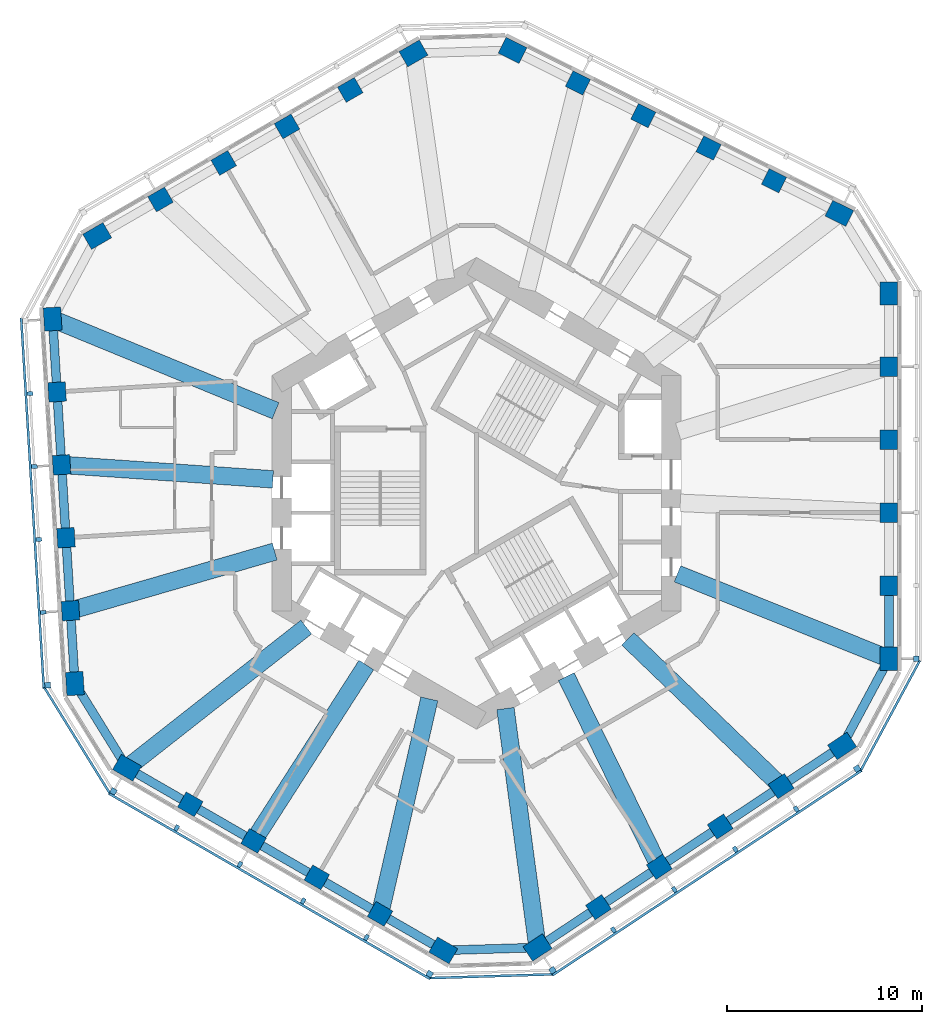
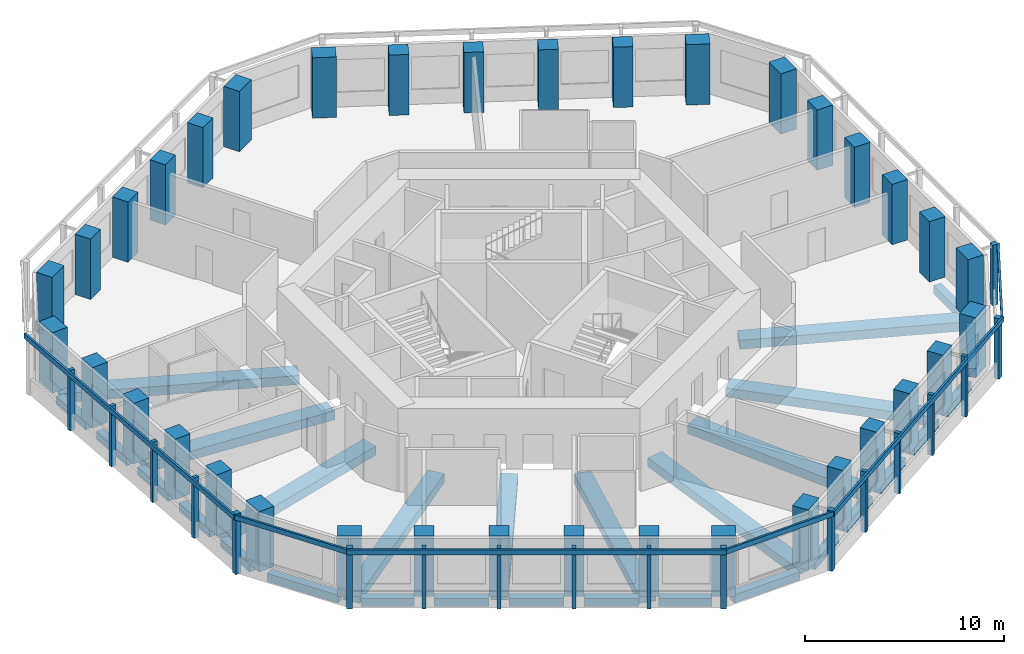
# One storey, part 1 of 10: 36 columns, 29 beams, 24 members, 7 elements without a shape of their own.
"""IFC4 building model written with IfcOpenShell, lengths in metres."""

from ifc_helpers import new_model, si_unit, direction, frame, origin, origin_2d, place, context, subcontext, project, spatial, rectangle, extrude, material, material_profile, profile_set, type_object, element, aggregate, save


model = new_model("IFC4")

# Units and contexts
model_context = context("Model", 3, precision=1e-05, world=origin(), true_north=direction((0.0, 1.0)))
body_context = subcontext(model_context, "Body", "Model", "MODEL_VIEW")
ifc_project = project(units=[si_unit("LENGTHUNIT", "METRE"), si_unit("AREAUNIT", "SQUARE_METRE"), si_unit("VOLUMEUNIT", "CUBIC_METRE"), si_unit("PLANEANGLEUNIT", "RADIAN"), si_unit("MASSUNIT", "GRAM", prefix="KILO")], contexts=[model_context])

# Site, building, storey
site_placement = place(None, origin())
site = spatial("IfcSite", under=ifc_project, at=site_placement, CompositionType="ELEMENT")
building_placement = place(site_placement, origin())
building = spatial("IfcBuilding", under=site, at=building_placement, Name="Vanh Sen Convention Tower", CompositionType="ELEMENT")
storey_placement = place(building_placement, frame((0.0, 0.0, 161.39990234375)))
storey = spatial("IfcBuildingStorey", under=building, at=storey_placement, Name="L39", CompositionType="ELEMENT", Elevation=161.39990234375)

# Columns
ifc_material_1 = material(Name="Concrete C80/95", Category="concrete")
ifc_material_profile_1 = material_profile(ifc_material_1, rectangle(XDim=1.0, YDim=0.89990234375, at=origin_2d()), Name="RC 1000X900")
ifc_profile_set_1 = profile_set([ifc_material_profile_1], Name="Concrete C80/95")
column_type_1 = type_object("IfcColumnType", Name="Facade column 1000 x 900 C80/95", PredefinedType="COLUMN", material=ifc_profile_set_1)
for number, where, z_axis, x_axis, name in (
    (1, (21.199951171875, -4.746826171875, 0.0), (0.0, 0.0, 1.0), (0.0, 1.0, 0.0), "Facade column 02 L39"),
    (2, (21.199951171875, -0.992919921875, 0.0), (0.0, 0.0, 1.0), (0.0, 1.0, 0.0), "Facade column 03 L39"),
    (3, (21.199951171875, 2.76123046875, 0.0), (0.0, 0.0, 1.0), (0.0, 1.0, 0.0), "Facade column 04 L39"),
    (4, (21.199951171875, 6.515380859375, 0.0), (0.0, 0.0, 1.0), (0.0, 1.0, 0.0), "Facade column 05 L39"),
    (5, (15.290283203125, 16.0654296875, 0.0), (0.0, 0.0, 1.0), (-0.894934361602, 0.44619781311, 0.0), "Facade column 08 L39"),
    (6, (11.9306640625, 17.740478515625, 0.0), (0.0, 0.0, 1.0), (-0.894934361602, 0.44619781311, 0.0), "Facade column 09 L39"),
    (7, (8.57080078125, 19.41552734375, 0.0), (0.0, 0.0, 1.0), (-0.894934361602, 0.44619781311, 0.0), "Facade column 10 L39"),
    (8, (5.211181640625, 21.0908203125, 0.0), (0.0, 0.0, 1.0), (-0.894934361602, 0.44619781311, 0.0), "Facade column 11 L39"),
    (9, (-6.489013671875, 20.733154296875, 0.0), (0.0, 0.0, 1.0), (-0.866025403784, -0.5, 0.0), "Facade column 14 L39"),
    (10, (-9.740234375, 18.856201171875, 0.0), (0.0, 0.0, 1.0), (-0.866025403784, -0.5, 0.0), "Facade column 15 L39"),
    (11, (-12.991455078125, 16.97900390625, 0.0), (0.0, 0.0, 1.0), (-0.866025403784, -0.5, 0.0), "Facade column 16 L39"),
    (12, (-16.242431640625, 15.10205078125, 0.0), (0.0, 0.0, 1.0), (-0.866025403784, -0.5, 0.0), "Facade column 17 L39"),
    (13, (-21.55810546875, 5.208984375, 0.0), (0.0, 0.0, 1.0), (0.061048539535, -0.998134798422, 0.0), "Facade column 20 L39"),
    (14, (-21.3291015625, 1.4619140625, 0.0), (0.0, 0.0, 1.0), (0.061048539535, -0.998134798422, 0.0), "Facade column 21 L39"),
    (15, (-21.099853515625, -2.28515625, 0.0), (0.0, 0.0, 1.0), (0.061048539535, -0.998134798422, 0.0), "Facade column 22 L39"),
    (16, (-20.87060546875, -6.0322265625, 0.0), (0.0, 0.0, 1.0), (0.061048539535, -0.998134798422, 0.0), "Facade column 23 L39"),
    (17, (-14.7109375, -15.986328125, 0.0), (0.0, 0.0, 1.0), (0.866025403784, -0.5, 0.0), "Facade column 26 L39"),
    (18, (-11.459716796875, -17.86328125, 0.0), (0.0, 0.0, 1.0), (0.866025403784, -0.5, 0.0), "Facade column 27 L39"),
    (19, (-8.20849609375, -19.740478515625, 0.0), (0.0, 0.0, 1.0), (0.866025403784, -0.5, 0.0), "Facade column 28 L39"),
    (20, (-4.95751953125, -21.617431640625, 0.0), (0.0, 0.0, 1.0), (0.866025403784, -0.5, 0.0), "Facade column 29 L39"),
    (21, (6.267822265625, -21.2744140625, 0.0), (0.0, 0.0, 1.0), (0.833885822067, 0.551936985312, 0.0), "Facade column 32 L39"),
    (22, (9.3984375, -19.202392578125, 0.0), (0.0, 0.0, 1.0), (0.833885822067, 0.551936985312, 0.0), "Facade column 33 L39"),
    (23, (12.52880859375, -17.13037109375, 0.0), (0.0, 0.0, 1.0), (0.833885822067, 0.551936985312, 0.0), "Facade column 34 L39"),
    (24, (15.659423828125, -15.058349609375, 0.0), (0.0, 0.0, 1.0), (0.833885822067, 0.551936985312, 0.0), "Facade column 35 L39"),
):
    element("IfcColumn", number, at=place(storey_placement, frame(where, z_axis=z_axis, x_axis=x_axis)), inside=storey, type_object=column_type_1, Name=name, PredefinedType="COLUMN", context=body_context, shape_type="SweptSolid", body=[
        extrude(rectangle(XDim=1.0, YDim=0.89990234375, at=origin_2d()), origin(), (0.0, 0.0, 1.0), 3.7001953125),
    ])
ifc_material_profile_2 = material_profile(ifc_material_1, rectangle(XDim=1.199951171875, YDim=0.89990234375, at=origin_2d()), Name="RC 1200X900")
ifc_profile_set_2 = profile_set([ifc_material_profile_2], Name="Concrete C80/95")
column_type_2 = type_object("IfcColumnType", Name="Facade corner column 1200 x 900 C80/95", PredefinedType="COLUMN", material=ifc_profile_set_2)
for number, where, z_axis, x_axis, name in (
    (25, (21.199951171875, -8.5009765625, 0.0), (0.0, 0.0, 1.0), (0.0, 1.0, 0.0), "Facade column 01 L39"),
    (26, (21.199951171875, 10.26953125, 0.0), (0.0, 0.0, 1.0), (0.0, 1.0, 0.0), "Facade column 06 L39"),
    (27, (18.64990234375, 14.390380859375, 0.0), (0.0, 0.0, 1.0), (-0.894934361602, 0.44619781311, 0.0), "Facade column 07 L39"),
    (28, (1.8515625, 22.765625, 0.0), (0.0, 0.0, 1.0), (-0.894934361602, 0.44619781311, 0.0), "Facade column 12 L39"),
    (29, (-3.23779296875, 22.610107421875, 0.0), (0.0, 0.0, 1.0), (-0.866025403784, -0.5, 0.0), "Facade column 13 L39"),
    (30, (-19.49365234375, 13.22509765625, 0.0), (0.0, 0.0, 1.0), (-0.866025403784, -0.5, 0.0), "Facade column 18 L39"),
    (31, (-21.787353515625, 8.956298828125, 0.0), (0.0, 0.0, 1.0), (0.061048539535, -0.998134798422, 0.0), "Facade column 19 L39"),
    (32, (-20.6416015625, -9.779296875, 0.0), (0.0, 0.0, 1.0), (0.061048539535, -0.998134798422, 0.0), "Facade column 24 L39"),
    (33, (-17.962158203125, -14.109130859375, 0.0), (0.0, 0.0, 1.0), (0.866025403784, -0.5, 0.0), "Facade column 25 L39"),
    (34, (-1.706298828125, -23.494384765625, 0.0), (0.0, 0.0, 1.0), (0.866025403784, -0.5, 0.0), "Facade column 30 L39"),
    (35, (3.137451171875, -23.346435546875, 0.0), (0.0, 0.0, 1.0), (0.833885822067, 0.551936985312, 0.0), "Facade column 31 L39"),
    (36, (18.789794921875, -12.986328125, 0.0), (0.0, 0.0, 1.0), (0.833885822067, 0.551936985312, 0.0), "Facade column 36 L39"),
):
    element("IfcColumn", number, at=place(storey_placement, frame(where, z_axis=z_axis, x_axis=x_axis)), inside=storey, type_object=column_type_2, Name=name, PredefinedType="COLUMN", context=body_context, shape_type="SweptSolid", body=[
        extrude(rectangle(XDim=1.199951171875, YDim=0.89990234375, at=origin_2d()), origin(), (0.0, 0.0, 1.0), 3.7001953125),
    ])

# Curtain wall, member
ifc_material_2 = material(Name="Concrete C50/60", Category="concrete")
curtain_wall_type = type_object("IfcCurtainWallType", Name="Outer skin office zone", PredefinedType="NOTDEFINED", material=ifc_material_2)
curtain_wall_1_placement = place(storey_placement, origin())
curtain_wall_1 = element("IfcCurtainWall", 37, at=curtain_wall_1_placement, inside=storey, type_object=curtain_wall_type, Name="OUTER SKIN E L39", PredefinedType="NOTDEFINED")
ifc_material_profile_3 = material_profile(ifc_material_2, rectangle(XDim=0.300048828125, YDim=0.300048828125, at=origin_2d()), Name="Outer skin precast corner fin 300 x 300")
ifc_profile_set_3 = profile_set([ifc_material_profile_3], Name="Concrete C50/60")
member_type_1 = type_object("IfcMemberType", Name="Outer skin precast corner fin 300 x 300", PredefinedType="MULLION", material=ifc_profile_set_3)
member_1_placement = place(storey_placement, frame((22.60009765625, -8.5009765625, 0.0), z_axis=(0.0, 0.0, 1.0), x_axis=(0.0, 1.0, 0.0)))
member_1 = element("IfcMember", 38, at=member_1_placement, type_object=member_type_1, Name="OUTER SKIN CORNER FIN 1 E L39", PredefinedType="MULLION", context=body_context, shape_type="SweptSolid", body=[
    extrude(rectangle(XDim=0.300048828125, YDim=0.300048828125, at=origin_2d()), origin(), (0.0, 0.0, 1.0), 3.7001953125),
])
aggregate(curtain_wall_1, [member_1])

curtain_wall_2_placement = place(storey_placement, origin())
curtain_wall_2 = element("IfcCurtainWall", 39, at=curtain_wall_2_placement, inside=storey, type_object=curtain_wall_type, Name="OUTER SKIN W L39", PredefinedType="NOTDEFINED")
member_2_placement = place(storey_placement, frame((-22.038818359375, -9.864990234375, 0.0), z_axis=(0.0, 0.0, 1.0), x_axis=(0.061048539535, -0.998134798422, 0.0)))
member_2 = element("IfcMember", 40, at=member_2_placement, type_object=member_type_1, Name="OUTER SKIN CORNER FIN 6 W L39", PredefinedType="MULLION", context=body_context, shape_type="SweptSolid", body=[
    extrude(rectangle(XDim=0.300048828125, YDim=0.300048828125, at=origin_2d()), origin(), (0.0, 0.0, 1.0), 3.7001953125),
])

# Curtain wall, members
curtain_wall_3_placement = place(storey_placement, origin())
curtain_wall_3 = element("IfcCurtainWall", 41, at=curtain_wall_3_placement, inside=storey, type_object=curtain_wall_type, Name="OUTER SKIN SW L39", PredefinedType="NOTDEFINED")
member_3_placement = place(storey_placement, frame((-18.662109375, -15.321533203125, 0.0), z_axis=(0.0, 0.0, 1.0), x_axis=(0.866025403784, -0.5, 0.0)))
member_3 = element("IfcMember", 42, at=member_3_placement, type_object=member_type_1, Name="OUTER SKIN CORNER FIN 1 SW L39", PredefinedType="MULLION", context=body_context, shape_type="SweptSolid", body=[
    extrude(rectangle(XDim=0.300048828125, YDim=0.300048828125, at=origin_2d()), origin(), (0.0, 0.0, 1.0), 3.7001953125),
])
member_4_placement = place(storey_placement, frame((-2.40625, -24.706787109375, 0.0), z_axis=(0.0, 0.0, 1.0), x_axis=(0.866025403784, -0.5, 0.0)))
member_4 = element("IfcMember", 43, at=member_4_placement, type_object=member_type_1, Name="OUTER SKIN CORNER FIN 6 SW L39", PredefinedType="MULLION", context=body_context, shape_type="SweptSolid", body=[
    extrude(rectangle(XDim=0.300048828125, YDim=0.300048828125, at=origin_2d()), origin(), (0.0, 0.0, 1.0), 3.7001953125),
])

curtain_wall_4_placement = place(storey_placement, origin())
curtain_wall_4 = element("IfcCurtainWall", 44, at=curtain_wall_4_placement, inside=storey, type_object=curtain_wall_type, Name="OUTER SKIN SE L39", PredefinedType="NOTDEFINED")
member_5_placement = place(storey_placement, frame((3.91015625, -24.513916015625, 0.0), z_axis=(0.0, 0.0, 1.0), x_axis=(0.833885822067, 0.551936985312, 0.0)))
member_5 = element("IfcMember", 45, at=member_5_placement, type_object=member_type_1, Name="OUTER SKIN CORNER FIN 1 SE L39", PredefinedType="MULLION", context=body_context, shape_type="SweptSolid", body=[
    extrude(rectangle(XDim=0.300048828125, YDim=0.300048828125, at=origin_2d()), origin(), (0.0, 0.0, 1.0), 3.7001953125),
])
member_6_placement = place(storey_placement, frame((19.5625, -14.15380859375, 0.0), z_axis=(0.0, 0.0, 1.0), x_axis=(0.833885822067, 0.551936985312, 0.0)))
member_6 = element("IfcMember", 46, at=member_6_placement, type_object=member_type_1, Name="OUTER SKIN CORNER FIN 6 SE L39", PredefinedType="MULLION", context=body_context, shape_type="SweptSolid", body=[
    extrude(rectangle(XDim=0.300048828125, YDim=0.300048828125, at=origin_2d()), origin(), (0.0, 0.0, 1.0), 3.7001953125),
])

# Member
ifc_material_profile_4 = material_profile(ifc_material_2, rectangle(XDim=0.199951171875, YDim=0.300048828125, at=origin_2d()), Name="Outer skin precast fin 200 x 300")
ifc_profile_set_4 = profile_set([ifc_material_profile_4], Name="Concrete C50/60")
member_type_2 = type_object("IfcMemberType", Name="Outer skin precast fin 200 x 300", PredefinedType="MULLION", material=ifc_profile_set_4)
member_7_placement = place(storey_placement, frame((-22.95556640625, 5.12353515625, 0.0), z_axis=(0.0, 0.0, 1.0), x_axis=(0.061048539535, -0.998134798422, 0.0)))
member_7 = element("IfcMember", 47, at=member_7_placement, type_object=member_type_2, Name="OUTER SKIN fin 2 W L39", PredefinedType="MULLION", context=body_context, shape_type="SweptSolid", body=[
    extrude(rectangle(XDim=0.199951171875, YDim=0.300048828125, at=origin_2d()), origin(), (0.0, 0.0, 1.0), 3.7001953125),
])

member_8_placement = place(storey_placement, frame((-22.726318359375, 1.37646484375, 0.0), z_axis=(0.0, 0.0, 1.0), x_axis=(0.061048539535, -0.998134798422, 0.0)))
member_8 = element("IfcMember", 48, at=member_8_placement, type_object=member_type_2, Name="OUTER SKIN fin 3 W L39", PredefinedType="MULLION", context=body_context, shape_type="SweptSolid", body=[
    extrude(rectangle(XDim=0.199951171875, YDim=0.300048828125, at=origin_2d()), origin(), (0.0, 0.0, 1.0), 3.7001953125),
])

member_9_placement = place(storey_placement, frame((-22.497314453125, -2.37060546875, 0.0), z_axis=(0.0, 0.0, 1.0), x_axis=(0.061048539535, -0.998134798422, 0.0)))
member_9 = element("IfcMember", 49, at=member_9_placement, type_object=member_type_2, Name="OUTER SKIN fin 4 W L39", PredefinedType="MULLION", context=body_context, shape_type="SweptSolid", body=[
    extrude(rectangle(XDim=0.199951171875, YDim=0.300048828125, at=origin_2d()), origin(), (0.0, 0.0, 1.0), 3.7001953125),
])

member_10_placement = place(storey_placement, frame((-22.26806640625, -6.117919921875, 0.0), z_axis=(0.0, 0.0, 1.0), x_axis=(0.061048539535, -0.998134798422, 0.0)))
member_10 = element("IfcMember", 50, at=member_10_placement, type_object=member_type_2, Name="OUTER SKIN fin 5 W L39", PredefinedType="MULLION", context=body_context, shape_type="SweptSolid", body=[
    extrude(rectangle(XDim=0.199951171875, YDim=0.300048828125, at=origin_2d()), origin(), (0.0, 0.0, 1.0), 3.7001953125),
])

member_11_placement = place(storey_placement, frame((-15.410888671875, -17.19873046875, 0.0), z_axis=(0.0, 0.0, 1.0), x_axis=(0.866025403784, -0.5, 0.0)))
member_11 = element("IfcMember", 51, at=member_11_placement, type_object=member_type_2, Name="OUTER SKIN fin 2 SW L39", PredefinedType="MULLION", context=body_context, shape_type="SweptSolid", body=[
    extrude(rectangle(XDim=0.199951171875, YDim=0.300048828125, at=origin_2d()), origin(), (0.0, 0.0, 1.0), 3.7001953125),
])

member_12_placement = place(storey_placement, frame((-12.159912109375, -19.07568359375, 0.0), z_axis=(0.0, 0.0, 1.0), x_axis=(0.866025403784, -0.5, 0.0)))
member_12 = element("IfcMember", 52, at=member_12_placement, type_object=member_type_2, Name="OUTER SKIN fin 3 SW L39", PredefinedType="MULLION", context=body_context, shape_type="SweptSolid", body=[
    extrude(rectangle(XDim=0.199951171875, YDim=0.300048828125, at=origin_2d()), origin(), (0.0, 0.0, 1.0), 3.7001953125),
])

member_13_placement = place(storey_placement, frame((-8.90869140625, -20.952880859375, 0.0), z_axis=(0.0, 0.0, 1.0), x_axis=(0.866025403784, -0.5, 0.0)))
member_13 = element("IfcMember", 53, at=member_13_placement, type_object=member_type_2, Name="OUTER SKIN fin 4 SW L39", PredefinedType="MULLION", context=body_context, shape_type="SweptSolid", body=[
    extrude(rectangle(XDim=0.199951171875, YDim=0.300048828125, at=origin_2d()), origin(), (0.0, 0.0, 1.0), 3.7001953125),
])

member_14_placement = place(storey_placement, frame((-5.657470703125, -22.829833984375, 0.0), z_axis=(0.0, 0.0, 1.0), x_axis=(0.866025403784, -0.5, 0.0)))
member_14 = element("IfcMember", 54, at=member_14_placement, type_object=member_type_2, Name="OUTER SKIN fin 5 SW L39", PredefinedType="MULLION", context=body_context, shape_type="SweptSolid", body=[
    extrude(rectangle(XDim=0.199951171875, YDim=0.300048828125, at=origin_2d()), origin(), (0.0, 0.0, 1.0), 3.7001953125),
])

member_15_placement = place(storey_placement, frame((7.04052734375, -22.44189453125, 0.0), z_axis=(0.0, 0.0, 1.0), x_axis=(0.833885822067, 0.551936985312, 0.0)))
member_15 = element("IfcMember", 55, at=member_15_placement, type_object=member_type_2, Name="OUTER SKIN fin 2 SE L39", PredefinedType="MULLION", context=body_context, shape_type="SweptSolid", body=[
    extrude(rectangle(XDim=0.199951171875, YDim=0.300048828125, at=origin_2d()), origin(), (0.0, 0.0, 1.0), 3.7001953125),
])

member_16_placement = place(storey_placement, frame((10.171142578125, -20.369873046875, 0.0), z_axis=(0.0, 0.0, 1.0), x_axis=(0.833885822067, 0.551936985312, 0.0)))
member_16 = element("IfcMember", 56, at=member_16_placement, type_object=member_type_2, Name="OUTER SKIN fin 3 SE L39", PredefinedType="MULLION", context=body_context, shape_type="SweptSolid", body=[
    extrude(rectangle(XDim=0.199951171875, YDim=0.300048828125, at=origin_2d()), origin(), (0.0, 0.0, 1.0), 3.7001953125),
])

member_17_placement = place(storey_placement, frame((13.301513671875, -18.2978515625, 0.0), z_axis=(0.0, 0.0, 1.0), x_axis=(0.833885822067, 0.551936985312, 0.0)))
member_17 = element("IfcMember", 57, at=member_17_placement, type_object=member_type_2, Name="OUTER SKIN fin 4 SE L39", PredefinedType="MULLION", context=body_context, shape_type="SweptSolid", body=[
    extrude(rectangle(XDim=0.199951171875, YDim=0.300048828125, at=origin_2d()), origin(), (0.0, 0.0, 1.0), 3.7001953125),
])

member_18_placement = place(storey_placement, frame((16.43212890625, -16.225830078125, 0.0), z_axis=(0.0, 0.0, 1.0), x_axis=(0.833885822067, 0.551936985312, 0.0)))
member_18 = element("IfcMember", 58, at=member_18_placement, type_object=member_type_2, Name="OUTER SKIN fin 5 SE L39", PredefinedType="MULLION", context=body_context, shape_type="SweptSolid", body=[
    extrude(rectangle(XDim=0.199951171875, YDim=0.300048828125, at=origin_2d()), origin(), (0.0, 0.0, 1.0), 3.7001953125),
])

ifc_material_profile_5 = material_profile(ifc_material_2, rectangle(XDim=0.1201171875, YDim=0.300048828125, at=origin_2d()), Name="Outer skin precast spandrel band 300 x 120")
ifc_profile_set_5 = profile_set([ifc_material_profile_5], Name="Concrete C50/60")
member_type_3 = type_object("IfcMemberType", Name="Outer skin precast spandrel band 300 x 120", PredefinedType="USERDEFINED", material=ifc_profile_set_5)
member_19_placement = place(storey_placement, frame((-23.403564453125, 9.007568359375, 3.550048828125), z_axis=(0.061052799403, -0.998134537868, 0.0), x_axis=(0.998134537868, 0.061052799403, 0.0)))
member_19 = element("IfcMember", 59, at=member_19_placement, type_object=member_type_3, Name="OUTER SKIN spandrel band W L39", ObjectType="TRANSOM", PredefinedType="USERDEFINED", context=body_context, shape_type="SweptSolid", body=[
    extrude(rectangle(XDim=0.1201171875, YDim=0.300048828125, at=origin_2d()), origin(), (0.0, 0.0, 1.0), 19.070556640625),
])

aggregate(curtain_wall_2, [member_7, member_8, member_9, member_10, member_2, member_19])

# Curtain wall, member
curtain_wall_5_placement = place(storey_placement, origin())
curtain_wall_5 = element("IfcCurtainWall", 60, at=curtain_wall_5_placement, inside=storey, type_object=curtain_wall_type, Name="OUTER SKIN CH4 L39", PredefinedType="NOTDEFINED")
member_20_placement = place(storey_placement, frame((-22.217529296875, -9.975341796875, 3.550048828125), z_axis=(0.526207913146, -0.85035594438, 0.0), x_axis=(0.85035594438, 0.526207913146, 0.0)))
member_20 = element("IfcMember", 61, at=member_20_placement, type_object=member_type_3, Name="OUTER SKIN spandrel band CH4 L39", ObjectType="TRANSOM", PredefinedType="USERDEFINED", context=body_context, shape_type="SweptSolid", body=[
    extrude(rectangle(XDim=0.1201171875, YDim=0.300048828125, at=origin_2d()), origin(), (0.0, 0.0, 1.0), 6.4169921875),
])
aggregate(curtain_wall_5, [member_20])

# Member
member_21_placement = place(storey_placement, frame((-18.89697265625, -15.428466796875, 3.550048828125), z_axis=(0.866023136587, -0.500003926881, 0.0), x_axis=(0.500003926881, 0.866023136587, 0.0)))
member_21 = element("IfcMember", 62, at=member_21_placement, type_object=member_type_3, Name="OUTER SKIN spandrel band SW L39", ObjectType="TRANSOM", PredefinedType="USERDEFINED", context=body_context, shape_type="SweptSolid", body=[
    extrude(rectangle(XDim=0.1201171875, YDim=0.300048828125, at=origin_2d()), origin(), (0.0, 0.0, 1.0), 19.070556640625),
])

aggregate(curtain_wall_3, [member_3, member_11, member_12, member_13, member_14, member_4, member_21])

# Curtain wall, member
curtain_wall_6_placement = place(storey_placement, origin())
curtain_wall_6 = element("IfcCurtainWall", 63, at=curtain_wall_6_placement, inside=storey, type_object=curtain_wall_type, Name="OUTER SKIN CH5 L39", PredefinedType="NOTDEFINED")
member_22_placement = place(storey_placement, frame((-2.39990234375, -24.916748046875, 3.550048828125), z_axis=(0.99953413443, 0.030520716071, 0.0), x_axis=(-0.030520716071, 0.99953413443, 0.0)))
member_22 = element("IfcMember", 64, at=member_22_placement, type_object=member_type_3, Name="OUTER SKIN spandrel band CH5 L39", ObjectType="TRANSOM", PredefinedType="USERDEFINED", context=body_context, shape_type="SweptSolid", body=[
    extrude(rectangle(XDim=0.1201171875, YDim=0.300048828125, at=origin_2d()), origin(), (0.0, 0.0, 1.0), 6.3193359375),
])
aggregate(curtain_wall_6, [member_22])

# Member
member_23_placement = place(storey_placement, frame((3.90087890625, -24.771728515625, 3.550048828125), z_axis=(0.833891134859, 0.551928958475, 0.0), x_axis=(-0.551928958475, 0.833891134859, 0.0)))
member_23 = element("IfcMember", 65, at=member_23_placement, type_object=member_type_3, Name="OUTER SKIN spandrel band SE L39", ObjectType="TRANSOM", PredefinedType="USERDEFINED", context=body_context, shape_type="SweptSolid", body=[
    extrude(rectangle(XDim=0.1201171875, YDim=0.300048828125, at=origin_2d()), origin(), (0.0, 0.0, 1.0), 19.070556640625),
])

aggregate(curtain_wall_4, [member_5, member_15, member_16, member_17, member_18, member_6, member_23])

# Curtain wall, member
curtain_wall_7_placement = place(storey_placement, origin())
curtain_wall_7 = element("IfcCurtainWall", 66, at=curtain_wall_7_placement, inside=storey, type_object=curtain_wall_type, Name="OUTER SKIN CH6 L39", PredefinedType="NOTDEFINED")
member_24_placement = place(storey_placement, frame((19.74755859375, -14.253173828125, 3.550048828125), z_axis=(0.473316922434, 0.880892213008, 0.0), x_axis=(-0.880892213008, 0.473316922434, 0.0)))
member_24 = element("IfcMember", 67, at=member_24_placement, type_object=member_type_3, Name="OUTER SKIN spandrel band CH6 L39", ObjectType="TRANSOM", PredefinedType="USERDEFINED", context=body_context, shape_type="SweptSolid", body=[
    extrude(rectangle(XDim=0.1201171875, YDim=0.300048828125, at=origin_2d()), origin(), (0.0, 0.0, 1.0), 6.417236328125),
])
aggregate(curtain_wall_7, [member_24])

# Beams
ifc_material_3 = material(Name="Concrete C50/60", Category="concrete")
ifc_material_profile_6 = material_profile(ifc_material_3, rectangle(XDim=0.89990234375, YDim=0.550048828125, at=origin_2d()), Name="RC 900X550")
ifc_profile_set_6 = profile_set([ifc_material_profile_6], Name="Concrete C50/60")
beam_type_1 = type_object("IfcBeamType", Name="Radial floor beam 900 x 550", PredefinedType="BEAM", material=ifc_profile_set_6)
beam_1_placement = place(storey_placement, frame((20.922119140625, -8.3896484375, -0.554931640625), z_axis=(-0.928156247891, 0.372190783739, 0.0), x_axis=(-0.372190783739, -0.928156247891, 0.0)))
element("IfcBeam", 68, at=beam_1_placement, inside=storey, type_object=beam_type_1, Name="Radial beam 01 L39", PredefinedType="BEAM", context=body_context, shape_type="SweptSolid", body=[
    extrude(rectangle(XDim=0.89990234375, YDim=0.550048828125, at=origin_2d()), origin(), (0.0, 0.0, 1.0), 11.414306640625),
])
beam_2_placement = place(storey_placement, frame((-21.53125, 8.850830078125, -0.554931640625), z_axis=(0.92490243395, -0.380204533998, 0.0), x_axis=(0.380204533998, 0.92490243395, 0.0)))
element("IfcBeam", 69, at=beam_2_placement, inside=storey, type_object=beam_type_1, Name="Radial beam 10 L39", PredefinedType="BEAM", context=body_context, shape_type="SweptSolid", body=[
    extrude(rectangle(XDim=0.89990234375, YDim=0.550048828125, at=origin_2d()), origin(), (0.0, 0.0, 1.0), 12.116943359375),
])
beam_3_placement = place(storey_placement, frame((-20.939697265625, 1.435302734375, -0.554931640625), z_axis=(0.997659241785, -0.068381556588, 0.0), x_axis=(0.068381556588, 0.997659241785, 0.0)))
element("IfcBeam", 70, at=beam_3_placement, inside=storey, type_object=beam_type_1, Name="Radial beam 11 L39", PredefinedType="BEAM", context=body_context, shape_type="SweptSolid", body=[
    extrude(rectangle(XDim=0.89990234375, YDim=0.550048828125, at=origin_2d()), origin(), (0.0, 0.0, 1.0), 10.500244140625),
])
beam_4_placement = place(storey_placement, frame((-20.60791015625, -5.956298828125, -0.554931640625), z_axis=(0.960679153389, 0.277660879932, 0.0), x_axis=(-0.277660879932, 0.960679153389, 0.0)))
element("IfcBeam", 71, at=beam_4_placement, inside=storey, type_object=beam_type_1, Name="Radial beam 12 L39", PredefinedType="BEAM", context=body_context, shape_type="SweptSolid", body=[
    extrude(rectangle(XDim=0.89990234375, YDim=0.550048828125, at=origin_2d()), origin(), (0.0, 0.0, 1.0), 10.65673828125),
])
beam_5_placement = place(storey_placement, frame((-17.726806640625, -13.92431640625, -0.554931640625), z_axis=(0.786405168583, 0.61771102534, 0.0), x_axis=(-0.61771102534, 0.786405168583, 0.0)))
element("IfcBeam", 72, at=beam_5_placement, inside=storey, type_object=beam_type_1, Name="Radial beam 13 L39", PredefinedType="BEAM", context=body_context, shape_type="SweptSolid", body=[
    extrude(rectangle(XDim=0.89990234375, YDim=0.550048828125, at=origin_2d()), origin(), (0.0, 0.0, 1.0), 11.414306640625),
])
beam_6_placement = place(storey_placement, frame((-11.230712890625, -17.506103515625, -0.554931640625), z_axis=(0.539962921318, 0.841688804489, 0.0), x_axis=(-0.841688804489, 0.539962921318, 0.0)))
element("IfcBeam", 73, at=beam_6_placement, inside=storey, type_object=beam_type_1, Name="Radial beam 14 L39", PredefinedType="BEAM", context=body_context, shape_type="SweptSolid", body=[
    extrude(rectangle(XDim=0.89990234375, YDim=0.550048828125, at=origin_2d()), origin(), (0.0, 0.0, 1.0), 10.3134765625),
])
beam_7_placement = place(storey_placement, frame((-4.905517578125, -21.390625, -0.554931640625), z_axis=(0.223529773199, 0.974697101921, 0.0), x_axis=(-0.974697101921, 0.223529773199, 0.0)))
element("IfcBeam", 74, at=beam_7_placement, inside=storey, type_object=beam_type_1, Name="Radial beam 15 L39", PredefinedType="BEAM", context=body_context, shape_type="SweptSolid", body=[
    extrude(rectangle(XDim=0.89990234375, YDim=0.550048828125, at=origin_2d()), origin(), (0.0, 0.0, 1.0), 11.1044921875),
])
beam_8_placement = place(storey_placement, frame((3.1005859375, -23.072021484375, -0.554931640625), z_axis=(-0.133182520442, 0.991091527685, 0.0), x_axis=(-0.991091527685, -0.133182520442, 0.0)))
element("IfcBeam", 75, at=beam_8_placement, inside=storey, type_object=beam_type_1, Name="Radial beam 16 L39", PredefinedType="BEAM", context=body_context, shape_type="SweptSolid", body=[
    extrude(rectangle(XDim=0.89990234375, YDim=0.550048828125, at=origin_2d()), origin(), (0.0, 0.0, 1.0), 12.116943359375),
])
beam_9_placement = place(storey_placement, frame((9.226806640625, -18.85205078125, -0.554931640625), z_axis=(-0.439589583386, 0.898198752047, 0.0), x_axis=(-0.898198752047, -0.439589583386, 0.0)))
element("IfcBeam", 76, at=beam_9_placement, inside=storey, type_object=beam_type_1, Name="Radial beam 17 L39", PredefinedType="BEAM", context=body_context, shape_type="SweptSolid", body=[
    extrude(rectangle(XDim=0.89990234375, YDim=0.550048828125, at=origin_2d()), origin(), (0.0, 0.0, 1.0), 10.5),
])
beam_10_placement = place(storey_placement, frame((15.462158203125, -14.868896484375, -0.554931640625), z_axis=(-0.720797844742, 0.693145343356, 0.0), x_axis=(-0.693145343356, -0.720797844742, 0.0)))
element("IfcBeam", 77, at=beam_10_placement, inside=storey, type_object=beam_type_1, Name="Radial beam 18 L39", PredefinedType="BEAM", context=body_context, shape_type="SweptSolid", body=[
    extrude(rectangle(XDim=0.89990234375, YDim=0.550048828125, at=origin_2d()), origin(), (0.0, 0.0, 1.0), 10.656494140625),
])
ifc_material_profile_7 = material_profile(ifc_material_3, rectangle(XDim=0.449951171875, YDim=0.5, at=origin_2d()), Name="RC 450X500")
ifc_profile_set_7 = profile_set([ifc_material_profile_7], Name="Concrete C50/60")
beam_type_2 = type_object("IfcBeamType", Name="Spandrel beam 450 x 500", PredefinedType="SPANDREL", material=ifc_profile_set_7)
for number, where, z_axis, x_axis, name in (
    (78, (21.199951171875, -7.906005859375, -0.52978515625), (0.0, 1.0, 0.0), (-1.0, 0.0, 0.0), "Spandrel beam 01 L39"),
    (79, (-21.751220703125, 8.3623046875, -0.52978515625), (0.061123105648, -0.998130234967, 0.0), (0.998130234967, 0.061123105648, 0.0), "Spandrel beam 19 L39"),
):
    element("IfcBeam", number, at=place(storey_placement, frame(where, z_axis=z_axis, x_axis=x_axis)), inside=storey, type_object=beam_type_2, Name=name, PredefinedType="SPANDREL", context=body_context, shape_type="SweptSolid", body=[
        extrude(rectangle(XDim=0.449951171875, YDim=0.5, at=origin_2d()), origin(), (0.0, 0.0, 1.0), 2.6640625),
    ])
for number, where, z_axis, x_axis, name in (
    (80, (-21.528076171875, 4.715087890625, -0.52978515625), (0.061113654492, -0.998130813689, 0.0), (0.998130813689, 0.061113654492, 0.0), "Spandrel beam 20 L39"),
    (81, (-21.298828125, 0.968017578125, -0.52978515625), (0.061113654492, -0.998130813689, 0.0), (0.998130813689, 0.061113654492, 0.0), "Spandrel beam 21 L39"),
):
    element("IfcBeam", number, at=place(storey_placement, frame(where, z_axis=z_axis, x_axis=x_axis)), inside=storey, type_object=beam_type_2, Name=name, PredefinedType="SPANDREL", context=body_context, shape_type="SweptSolid", body=[
        extrude(rectangle(XDim=0.449951171875, YDim=0.5, at=origin_2d()), origin(), (0.0, 0.0, 1.0), 2.764404296875),
    ])
beam_11_placement = place(storey_placement, frame((-21.069580078125, -2.779296875, -0.52978515625), z_axis=(0.061036429863, -0.998135539007, 0.0), x_axis=(0.998135539007, 0.061036429863, 0.0)))
element("IfcBeam", 82, at=beam_11_placement, inside=storey, type_object=beam_type_2, Name="Spandrel beam 22 L39", PredefinedType="SPANDREL", context=body_context, shape_type="SweptSolid", body=[
    extrude(rectangle(XDim=0.449951171875, YDim=0.5, at=origin_2d()), origin(), (0.0, 0.0, 1.0), 2.763916015625),
])
beam_12_placement = place(storey_placement, frame((-20.840576171875, -6.5263671875, -0.52978515625), z_axis=(0.061123105648, -0.998130234967, 0.0), x_axis=(0.998130234967, 0.061123105648, 0.0)))
element("IfcBeam", 83, at=beam_12_placement, inside=storey, type_object=beam_type_2, Name="Spandrel beam 23 L39", PredefinedType="SPANDREL", context=body_context, shape_type="SweptSolid", body=[
    extrude(rectangle(XDim=0.449951171875, YDim=0.5, at=origin_2d()), origin(), (0.0, 0.0, 1.0), 2.6640625),
])
beam_13_placement = place(storey_placement, frame((-20.3642578125, -10.2275390625, -0.52978515625), z_axis=(0.526210982295, -0.850354045156, 0.0), x_axis=(0.850354045156, 0.526210982295, 0.0)))
element("IfcBeam", 84, at=beam_13_placement, inside=storey, type_object=beam_type_2, Name="Spandrel beam 24 L39", PredefinedType="SPANDREL", context=body_context, shape_type="SweptSolid", body=[
    extrude(rectangle(XDim=0.449951171875, YDim=0.5, at=origin_2d()), origin(), (0.0, 0.0, 1.0), 4.037841796875),
])
beam_14_placement = place(storey_placement, frame((-17.44677734375, -14.40673828125, -0.52978515625), z_axis=(0.866023818221, -0.500002746266, 0.0), x_axis=(0.500002746266, 0.866023818221, 0.0)))
element("IfcBeam", 85, at=beam_14_placement, inside=storey, type_object=beam_type_2, Name="Spandrel beam 25 L39", PredefinedType="SPANDREL", context=body_context, shape_type="SweptSolid", body=[
    extrude(rectangle(XDim=0.449951171875, YDim=0.5, at=origin_2d()), origin(), (0.0, 0.0, 1.0), 2.6640625),
])
beam_15_placement = place(storey_placement, frame((-14.2822265625, -16.23388671875, -0.52978515625), z_axis=(0.866060565847, -0.499939092575, 0.0), x_axis=(0.499939092575, 0.866060565847, 0.0)))
element("IfcBeam", 86, at=beam_15_placement, inside=storey, type_object=beam_type_2, Name="Spandrel beam 26 L39", PredefinedType="SPANDREL", context=body_context, shape_type="SweptSolid", body=[
    extrude(rectangle(XDim=0.449951171875, YDim=0.5, at=origin_2d()), origin(), (0.0, 0.0, 1.0), 2.763916015625),
])
for number, where, z_axis, x_axis, name in (
    (87, (-11.031005859375, -18.11083984375, -0.52978515625), (0.866022320763, -0.500005339912, 0.0), (0.500005339912, 0.866022320763, 0.0), "Spandrel beam 27 L39"),
    (88, (-7.77978515625, -19.98779296875, -0.52978515625), (0.865961984968, -0.500109828528, 0.0), (0.500109828528, 0.865961984968, 0.0), "Spandrel beam 28 L39"),
):
    element("IfcBeam", number, at=place(storey_placement, frame(where, z_axis=z_axis, x_axis=x_axis)), inside=storey, type_object=beam_type_2, Name=name, PredefinedType="SPANDREL", context=body_context, shape_type="SweptSolid", body=[
        extrude(rectangle(XDim=0.449951171875, YDim=0.5, at=origin_2d()), origin(), (0.0, 0.0, 1.0), 2.76416015625),
    ])
beam_16_placement = place(storey_placement, frame((-4.52880859375, -21.864990234375, -0.52978515625), z_axis=(0.866023818221, -0.500002746266, 0.0), x_axis=(0.500002746266, 0.866023818221, 0.0)))
element("IfcBeam", 89, at=beam_16_placement, inside=storey, type_object=beam_type_2, Name="Spandrel beam 29 L39", PredefinedType="SPANDREL", context=body_context, shape_type="SweptSolid", body=[
    extrude(rectangle(XDim=0.449951171875, YDim=0.5, at=origin_2d()), origin(), (0.0, 0.0, 1.0), 2.6640625),
])
beam_17_placement = place(storey_placement, frame((-1.219970703125, -23.4794921875, -0.52978515625), z_axis=(0.999534445971, 0.030510511595, 0.0), x_axis=(-0.030510511595, 0.999534445971, 0.0)))
element("IfcBeam", 90, at=beam_17_placement, inside=storey, type_object=beam_type_2, Name="Spandrel beam 30 L39", PredefinedType="SPANDREL", context=body_context, shape_type="SweptSolid", body=[
    extrude(rectangle(XDim=0.449951171875, YDim=0.5, at=origin_2d()), origin(), (0.0, 0.0, 1.0), 3.872802734375),
])
beam_18_placement = place(storey_placement, frame((3.633544921875, -23.01806640625, -0.52978515625), z_axis=(0.833864593577, 0.551969056722, 0.0), x_axis=(-0.551969056722, 0.833864593577, 0.0)))
element("IfcBeam", 91, at=beam_18_placement, inside=storey, type_object=beam_type_2, Name="Spandrel beam 31 L39", PredefinedType="SPANDREL", context=body_context, shape_type="SweptSolid", body=[
    extrude(rectangle(XDim=0.449951171875, YDim=0.5, at=origin_2d()), origin(), (0.0, 0.0, 1.0), 2.6640625),
])
for number, where, z_axis, x_axis, name in (
    (92, (6.6806640625, -21.001220703125, -0.52978515625), (0.833880195108, 0.551945486625, 0.0), (-0.551945486625, 0.833880195108, 0.0), "Spandrel beam 32 L39"),
    (93, (9.811279296875, -18.92919921875, -0.52978515625), (0.833880195108, 0.551945486625, 0.0), (-0.551945486625, 0.833880195108, 0.0), "Spandrel beam 33 L39"),
    (94, (12.941650390625, -16.857177734375, -0.52978515625), (0.833880195108, 0.551945486625, 0.0), (-0.551945486625, 0.833880195108, 0.0), "Spandrel beam 34 L39"),
):
    element("IfcBeam", number, at=place(storey_placement, frame(where, z_axis=z_axis, x_axis=x_axis)), inside=storey, type_object=beam_type_2, Name=name, PredefinedType="SPANDREL", context=body_context, shape_type="SweptSolid", body=[
        extrude(rectangle(XDim=0.449951171875, YDim=0.5, at=origin_2d()), origin(), (0.0, 0.0, 1.0), 2.76416015625),
    ])
beam_19_placement = place(storey_placement, frame((16.072265625, -14.78515625, -0.52978515625), z_axis=(0.833864593577, 0.551969056722, 0.0), x_axis=(-0.551969056722, 0.833864593577, 0.0)))
element("IfcBeam", 95, at=beam_19_placement, inside=storey, type_object=beam_type_2, Name="Spandrel beam 35 L39", PredefinedType="SPANDREL", context=body_context, shape_type="SweptSolid", body=[
    extrude(rectangle(XDim=0.449951171875, YDim=0.5, at=origin_2d()), origin(), (0.0, 0.0, 1.0), 2.6640625),
])
beam_20_placement = place(storey_placement, frame((19.039306640625, -12.522216796875, -0.52978515625), z_axis=(0.473331705403, 0.880884269731, 0.0), x_axis=(-0.880884269731, 0.473331705403, 0.0)))
element("IfcBeam", 96, at=beam_20_placement, inside=storey, type_object=beam_type_2, Name="Spandrel beam 36 L39", PredefinedType="SPANDREL", context=body_context, shape_type="SweptSolid", body=[
    extrude(rectangle(XDim=0.449951171875, YDim=0.5, at=origin_2d()), origin(), (0.0, 0.0, 1.0), 4.0380859375),
])

save(model, "model.ifc")
